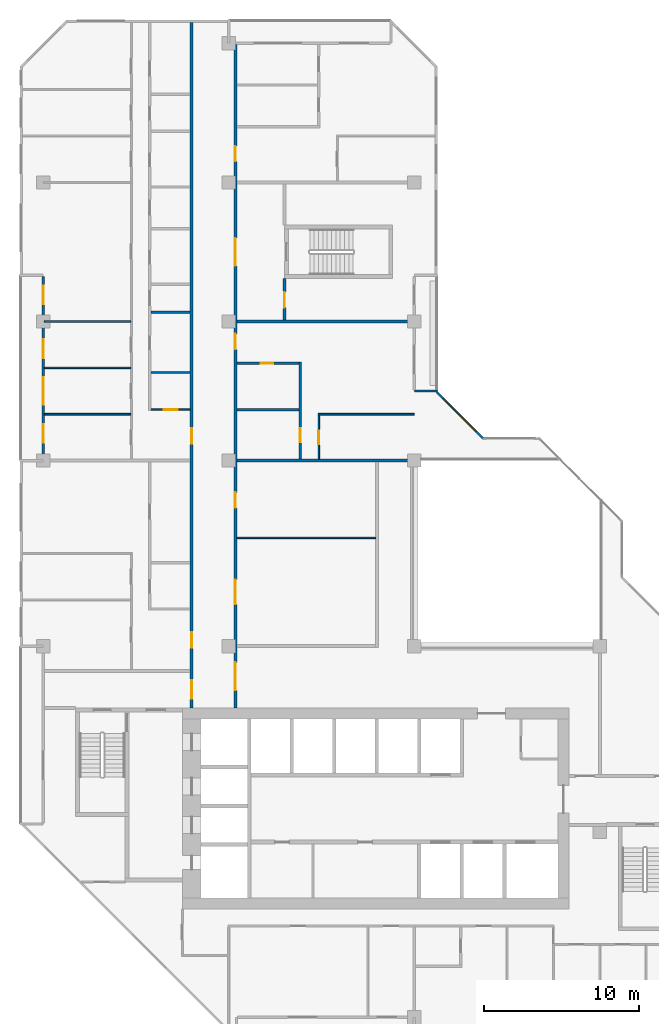
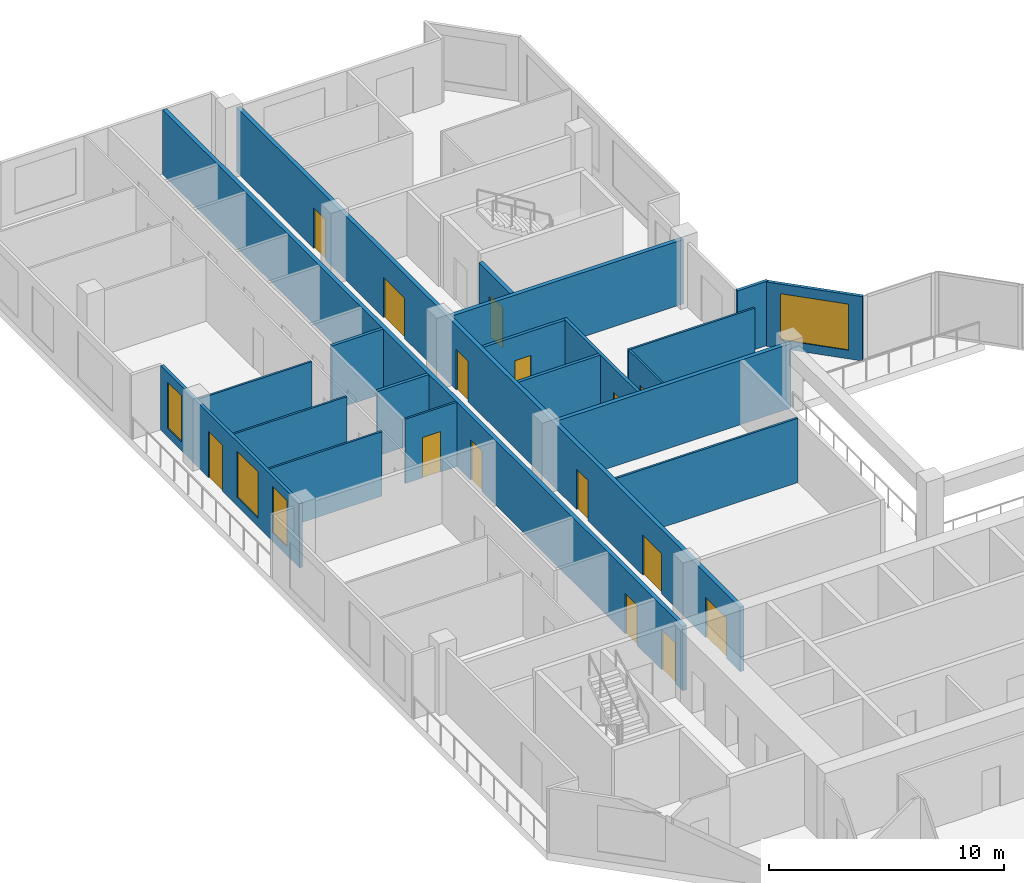
# One storey, part 9 of 14: 20 walls, 15 doors, 4 windows, 19 openings.
"""IFC4 building model written with IfcOpenShell, lengths in metres."""

import ifcopenshell
import ifcopenshell.guid

model = None  # the IFC model being written
_history = None  # IfcOwnerHistory: only IFC2X3 demands one
_inside = {}  # id of a spatial element -> (the spatial element, [elements in it])
_under = {}  # id of a project, library or spatial element -> (it, [spatial elements below it])
_declared = {}  # id of a project -> (the project, [libraries it declares])
_typed = {}  # id of a type object -> (the type object, [elements of that type])
_made_of = {}  # id of a material, layer set ... -> (it, [elements and type objects made of it])


def new_model(schema):
    """Start an empty IFC model of exactly this schema.

    Asked for "IFC4X3", IfcOpenShell would pick the latest addendum, in which some entities
    have other attributes; the version numbers below select the first issue.
    IFC2X3 requires an IfcOwnerHistory on every rooted entity: one is made here for all.
    """
    global model, _history
    if schema == "IFC4X3":
        model = ifcopenshell.file(schema_version=(4, 3, 0, 0))
    else:
        model = ifcopenshell.file(schema=schema)
    _inside.clear()
    _under.clear()
    _declared.clear()
    _typed.clear()
    _made_of.clear()
    _history = None
    if model.schema == "IFC2X3":
        org = make("IfcOrganization", Name="unknown")
        user = make(
            "IfcPersonAndOrganization",
            ThePerson=make("IfcPerson", FamilyName="unknown"),
            TheOrganization=org,
        )
        app = make(
            "IfcApplication",
            ApplicationDeveloper=org,
            Version="unknown",
            ApplicationFullName="unknown",
            ApplicationIdentifier="unknown",
        )
        _history = make(
            "IfcOwnerHistory",
            OwningUser=user,
            OwningApplication=app,
            ChangeAction="ADDED",
            CreationDate=0,
        )
    return model


def make(cls, **values):
    """One entity of the class cls with the attributes given. An attribute that is None is left unset."""
    return model.create_entity(
        cls, **{name: value for name, value in values.items() if value is not None}
    )


def rooted(cls, **values):
    """An entity with a GlobalId (a new one), such as an element, a storey or a relation."""
    return make(cls, GlobalId=ifcopenshell.guid.new(), OwnerHistory=_history, **values)


def si_unit(unit_type, name, prefix=None):
    """IfcSIUnit, for example si_unit("LENGTHUNIT", "METRE", prefix="MILLI")."""
    return make("IfcSIUnit", UnitType=unit_type, Prefix=prefix, Name=name)


def assignment(units):
    """IfcUnitAssignment: the units of a project."""
    return None if units is None else make("IfcUnitAssignment", Units=units)


def point(xyz):
    """IfcCartesianPoint."""
    return None if xyz is None else make("IfcCartesianPoint", Coordinates=xyz)


def direction(xyz):
    """IfcDirection."""
    return None if xyz is None else make("IfcDirection", DirectionRatios=xyz)


def frame(location, z_axis=None, x_axis=None):
    """IfcAxis2Placement3D, a coordinate frame: its origin and axes. An axis left out is left unset."""
    return make(
        "IfcAxis2Placement3D",
        Location=point(location),
        Axis=direction(z_axis),
        RefDirection=direction(x_axis),
    )


def frame_2d(location, x_axis=None):
    """IfcAxis2Placement2D, a coordinate frame in the plane: its origin and x axis."""
    return make(
        "IfcAxis2Placement2D", Location=point(location), RefDirection=direction(x_axis)
    )


def origin():
    """The frame at (0, 0, 0) with its axes left unset."""
    return frame((0.0, 0.0, 0.0))


def place(relative_to, where):
    """IfcLocalPlacement: puts the frame where relative to a parent placement (None: the world)."""
    return make(
        "IfcLocalPlacement", PlacementRelTo=relative_to, RelativePlacement=where
    )


def context(
    kind, dimensions, precision=None, world=None, true_north=None, identifier=None
):
    """IfcGeometricRepresentationContext, for example the 3D "Model" context."""
    return make(
        "IfcGeometricRepresentationContext",
        ContextIdentifier=identifier,
        ContextType=kind,
        CoordinateSpaceDimension=dimensions,
        Precision=precision,
        WorldCoordinateSystem=world,
        TrueNorth=true_north,
    )


def subcontext(parent, identifier, kind, view, scale=None):
    """IfcGeometricRepresentationSubContext, for example "Body" below "Model"."""
    return make(
        "IfcGeometricRepresentationSubContext",
        ContextIdentifier=identifier,
        ContextType=kind,
        ParentContext=parent,
        TargetScale=scale,
        TargetView=view,
    )


def project(units=None, contexts=None):
    """IfcProject with its units and contexts."""
    return rooted(
        "IfcProject",
        Name="project",
        RepresentationContexts=contexts,
        UnitsInContext=assignment(units),
    )


def spatial(cls, under=None, at=None, **own):
    """A site, building, storey or space (cls), placed at a placement, below another one or the project."""
    s = rooted(cls, ObjectPlacement=at, **own)
    if under is not None:
        _under.setdefault(under.id(), (under, []))[1].append(s)
    return s


def profile(cls, at=None, kind="AREA", **sizes):
    """A parametric profile (cls). Its sizes go by their IFC names, for example OverallWidth=200.0."""
    return make(cls, ProfileType=kind, Position=at, **sizes)


def rectangle(**sizes):
    """IfcRectangleProfileDef."""
    return profile("IfcRectangleProfileDef", **sizes)


def extrude(swept, where, along, depth):
    """IfcExtrudedAreaSolid: the profile swept, set in the frame where, extruded along a direction by depth."""
    return make(
        "IfcExtrudedAreaSolid",
        SweptArea=swept,
        Position=where,
        ExtrudedDirection=direction(along),
        Depth=depth,
    )


def shape(context_of_items, identifier, shape_type, items):
    """IfcShapeRepresentation: the items that make up one representation, for example the "Body"."""
    return make(
        "IfcShapeRepresentation",
        ContextOfItems=context_of_items,
        RepresentationIdentifier=identifier,
        RepresentationType=shape_type,
        Items=items,
    )


def material(Name=None, Category=None):
    """IfcMaterial."""
    return make("IfcMaterial", Name=Name, Category=Category)


def layer(
    of_material, thickness, ventilated=None, Name=None, Category=None, Priority=None
):
    """IfcMaterialLayer: one layer of a wall or slab, of a material (None: an air gap)."""
    return make(
        "IfcMaterialLayer",
        Material=of_material,
        LayerThickness=thickness,
        IsVentilated=ventilated,
        Name=Name,
        Category=Category,
        Priority=Priority,
    )


def layer_set(layers, Name=None):
    """IfcMaterialLayerSet."""
    return make("IfcMaterialLayerSet", MaterialLayers=layers, LayerSetName=Name)


def made_of(thing, what):
    """Note that an element or type object is made of a material, layer set ...; save() writes the relation."""
    if what is not None:
        _made_of.setdefault(what.id(), (what, []))[1].append(thing)
    return thing


def type_object(cls, material=None, **own):
    """A type object (cls), such as IfcWallType, which elements share."""
    return made_of(rooted(cls, **own), material)


def element(
    cls,
    number,
    at=None,
    inside=None,
    cuts=None,
    type_object=None,
    material=None,
    context=None,
    identifier="Body",
    shape_type=None,
    held_by="IfcProductDefinitionShape",
    body=None,
    shapes=None,
    **own,
):
    """One element of the class cls, such as IfcWall. Its Tag is "e" and its number.

    at: its placement. inside: the storey or other place that contains it. cuts: it is an
    opening in that element (IfcRelVoidsElement). A single representation is given by context,
    identifier, shape_type and body (its items); several are given by shapes. held_by: the class
    of the entity that holds the representations. save() writes the other relations.
    """
    e = rooted(cls, Tag="e%d" % number, ObjectPlacement=at, **own)
    if body is not None:
        shapes = [shape(context, identifier, shape_type, body)]
    if shapes is not None:
        e.Representation = make(held_by, Representations=shapes)
    if inside is not None:
        _inside.setdefault(inside.id(), (inside, []))[1].append(e)
    if cuts is not None:
        rooted(
            "IfcRelVoidsElement", RelatingBuildingElement=cuts, RelatedOpeningElement=e
        )
    if type_object is not None:
        _typed.setdefault(type_object.id(), (type_object, []))[1].append(e)
    return made_of(e, material)


def fill(opening, filler):
    """IfcRelFillsElement: the door or window that sits in an opening."""
    return rooted(
        "IfcRelFillsElement",
        RelatingOpeningElement=opening,
        RelatedBuildingElement=filler,
    )


def aggregate(whole, parts):
    """IfcRelAggregates: a whole, such as a stair, and the parts it consists of."""
    return rooted("IfcRelAggregates", RelatingObject=whole, RelatedObjects=parts)


def save(model, path):
    """Write the relations noted so far, then the file.

    IfcRelAggregates (storeys below a building ...), IfcRelContainedInSpatialStructure (elements
    in a storey), IfcRelDefinesByType, IfcRelAssociatesMaterial and IfcRelDeclares: one each for
    every whole, place, type object, material and project.
    """
    for whole, parts in _under.values():
        aggregate(whole, parts)
    for where, things in _inside.values():
        rooted(
            "IfcRelContainedInSpatialStructure",
            RelatedElements=things,
            RelatingStructure=where,
        )
    for kind, things in _typed.values():
        rooted("IfcRelDefinesByType", RelatedObjects=things, RelatingType=kind)
    for what, things in _made_of.values():
        rooted("IfcRelAssociatesMaterial", RelatedObjects=things, RelatingMaterial=what)
    for by, libraries in _declared.values():
        rooted("IfcRelDeclares", RelatingContext=by, RelatedDefinitions=libraries)
    model.write(path)


model = new_model("IFC4")

# Units and contexts
model_context = context("Model", 3, precision=1e-05, world=origin(), true_north=direction((0.0, 1.0)))
body_context = subcontext(model_context, "Body", "Model", "MODEL_VIEW")
ifc_project = project(units=[si_unit("LENGTHUNIT", "METRE"), si_unit("AREAUNIT", "SQUARE_METRE"), si_unit("VOLUMEUNIT", "CUBIC_METRE"), si_unit("PLANEANGLEUNIT", "RADIAN"), si_unit("MASSUNIT", "GRAM", prefix="KILO")], contexts=[model_context])

# Site, building, storey
site_placement = place(None, origin())
site = spatial("IfcSite", under=ifc_project, at=site_placement, CompositionType="ELEMENT")
building_placement = place(site_placement, origin())
building = spatial("IfcBuilding", under=site, at=building_placement, Name="Chenar Terraces", CompositionType="ELEMENT")
storey_placement = place(building_placement, frame((0.0, 0.0, 230.39990234375)))
storey = spatial("IfcBuildingStorey", under=building, at=storey_placement, Name="L54", CompositionType="ELEMENT", Elevation=230.39990234375)

# Wall, openings, doors
ifc_material_1 = material(Name="Gypsum board on steel studs with fire boards", Category="steel")
ifc_layer_1 = layer(ifc_material_1, 0.199951171875)
ifc_layer_set_1 = layer_set([ifc_layer_1], Name="Gypsum board on steel studs with fire boards")
wall_type_1 = type_object("IfcWallType", Name="Corridor wall 200", PredefinedType="PARTITIONING", material=ifc_layer_set_1)
wall_1_placement = place(storey_placement, frame((9.60009765625, 20.0, 0.0), z_axis=(0.0, 0.0, 1.0), x_axis=(0.0, 1.0, 0.0)))
wall_1 = element("IfcWall", 1, at=wall_1_placement, inside=storey, type_object=wall_type_1, Name="Partition L54-029", PredefinedType="PARTITIONING", context=body_context, shape_type="SweptSolid", body=[
    extrude(rectangle(XDim=44.35009765625, YDim=0.199951171875, at=frame_2d((22.175048828125, 0.0))), origin(), (0.0, 0.0, 1.0), 3.35009765625),
])
opening_1_placement = place(wall_1_placement, frame((17.10009765625, 0.0, 0.0)))
opening_1 = element("IfcOpeningElement", 2, at=opening_1_placement, cuts=wall_1, Name="Opening DL54-29", PredefinedType="OPENING", context=body_context, shape_type="SweptSolid", body=[
    extrude(rectangle(XDim=1.0, YDim=2.10009765625, at=frame_2d((0.5, 1.050048828125))), frame((0.0, 0.10986328125, 0.0), z_axis=(0.0, -1.0, 0.0), x_axis=(1.0, 0.0, 0.0)), (0.0, 0.0, 1.0), 0.219970703125),
])
opening_2_placement = place(wall_1_placement, frame((0.60009765625, 0.0, 0.0)))
opening_2 = element("IfcOpeningElement", 3, at=opening_2_placement, cuts=wall_1, Name="Opening DL54-40", PredefinedType="OPENING", context=body_context, shape_type="SweptSolid", body=[
    extrude(rectangle(XDim=1.199951171875, YDim=2.10009765625, at=frame_2d((0.60009765625, 1.050048828125))), frame((0.0, 0.10986328125, 0.0), z_axis=(0.0, -1.0, 0.0), x_axis=(1.0, 0.0, 0.0)), (0.0, 0.0, 1.0), 0.219970703125),
])
opening_3_placement = place(wall_1_placement, frame((3.89990234375, 0.0, 0.0)))
opening_3 = element("IfcOpeningElement", 4, at=opening_3_placement, cuts=wall_1, Name="Opening DL54-64", PredefinedType="OPENING", context=body_context, shape_type="SweptSolid", body=[
    extrude(rectangle(XDim=1.0, YDim=2.10009765625, at=frame_2d((0.5, 1.050048828125))), frame((0.0, 0.10986328125, 0.0), z_axis=(0.0, -1.0, 0.0), x_axis=(1.0, 0.0, 0.0)), (0.0, 0.0, 1.0), 0.219970703125),
])
ifc_material_2 = material(Name="Steel-framed fire-resisting door leaf", Category="steel")
door_type_1 = type_object("IfcDoorType", Name="Fire door FD30S 1000 x 2100", OperationType="SINGLE_SWING_LEFT", PredefinedType="DOOR", material=ifc_material_2)
door_1_placement = place(opening_1_placement, origin())
door_1 = element("IfcDoor", 5, at=door_1_placement, inside=storey, type_object=door_type_1, Name="Door DL54-29", OperationType="SINGLE_SWING_LEFT", OverallHeight=2.10009765625, OverallWidth=1.0, PredefinedType="DOOR", context=body_context, shape_type="SweptSolid", body=[
    extrude(rectangle(XDim=1.0, YDim=2.10009765625, at=frame_2d((0.5, 1.050048828125))), frame((0.0, 0.02490234375, 0.0), z_axis=(0.0, -1.0, 0.0), x_axis=(1.0, 0.0, 0.0)), (0.0, 0.0, 1.0), 0.050048828125),
])
fill(opening_1, door_1)
door_2_placement = place(opening_3_placement, origin())
door_2 = element("IfcDoor", 6, at=door_2_placement, inside=storey, type_object=door_type_1, Name="Door DL54-64", OperationType="SINGLE_SWING_LEFT", OverallHeight=2.10009765625, OverallWidth=1.0, PredefinedType="DOOR", context=body_context, shape_type="SweptSolid", body=[
    extrude(rectangle(XDim=1.0, YDim=2.10009765625, at=frame_2d((0.5, 1.050048828125))), frame((0.0, 0.02490234375, 0.0), z_axis=(0.0, -1.0, 0.0), x_axis=(1.0, 0.0, 0.0)), (0.0, 0.0, 1.0), 0.050048828125),
])
fill(opening_3, door_2)
ifc_material_3 = material(Name="Steel-framed fire-resisting door leaf", Category="steel")
door_type_2 = type_object("IfcDoorType", Name="Fire door FD30S 1200 x 2100", OperationType="SINGLE_SWING_LEFT", PredefinedType="DOOR", material=ifc_material_3)
door_3_placement = place(opening_2_placement, origin())
door_3 = element("IfcDoor", 7, at=door_3_placement, inside=storey, type_object=door_type_2, Name="Door DL54-40", OperationType="SINGLE_SWING_RIGHT", OverallHeight=2.10009765625, OverallWidth=1.199951171875, PredefinedType="DOOR", context=body_context, shape_type="SweptSolid", body=[
    extrude(rectangle(XDim=1.199951171875, YDim=2.10009765625, at=frame_2d((0.60009765625, 1.050048828125))), frame((0.0, 0.02490234375, 0.0), z_axis=(0.0, -1.0, 0.0), x_axis=(1.0, 0.0, 0.0)), (0.0, 0.0, 1.0), 0.050048828125),
])
fill(opening_2, door_3)

wall_2_placement = place(storey_placement, frame((12.425048828125, 20.0, 0.0), z_axis=(0.0, 0.0, 1.0), x_axis=(0.0, 1.0, 0.0)))
wall_2 = element("IfcWall", 8, at=wall_2_placement, inside=storey, type_object=wall_type_1, Name="Partition L54-032", PredefinedType="PARTITIONING", context=body_context, shape_type="SweptSolid", body=[
    extrude(rectangle(XDim=42.926025390625, YDim=0.199951171875, at=frame_2d((21.462890625, 0.0))), origin(), (0.0, 0.0, 1.0), 3.35009765625),
])
opening_4_placement = place(wall_2_placement, frame((6.699951171875, 0.0, 0.0)))
opening_4 = element("IfcOpeningElement", 9, at=opening_4_placement, cuts=wall_2, Name="Opening DL54-1", PredefinedType="OPENING", context=body_context, shape_type="SweptSolid", body=[
    extrude(rectangle(XDim=1.60009765625, YDim=2.10009765625, at=frame_2d((0.800048828125, 1.050048828125))), frame((0.0, 0.10986328125, 0.0), z_axis=(0.0, -1.0, 0.0), x_axis=(1.0, 0.0, 0.0)), (0.0, 0.0, 1.0), 0.219970703125),
])
opening_5_placement = place(wall_2_placement, frame((12.949951171875, 0.0, 0.0)))
opening_5 = element("IfcOpeningElement", 10, at=opening_5_placement, cuts=wall_2, Name="Opening DL54-2", PredefinedType="OPENING", context=body_context, shape_type="SweptSolid", body=[
    extrude(rectangle(XDim=1.0, YDim=2.10009765625, at=frame_2d((0.5, 1.050048828125))), frame((0.0, 0.10986328125, 0.0), z_axis=(0.0, -1.0, 0.0), x_axis=(1.0, 0.0, 0.0)), (0.0, 0.0, 1.0), 0.219970703125),
])
opening_6_placement = place(wall_2_placement, frame((23.199951171875, 0.0, 0.0)))
opening_6 = element("IfcOpeningElement", 11, at=opening_6_placement, cuts=wall_2, Name="Opening DL54-17", PredefinedType="OPENING", context=body_context, shape_type="SweptSolid", body=[
    extrude(rectangle(XDim=1.0, YDim=2.10009765625, at=frame_2d((0.5, 1.050048828125))), frame((0.0, 0.10986328125, 0.0), z_axis=(0.0, -1.0, 0.0), x_axis=(1.0, 0.0, 0.0)), (0.0, 0.0, 1.0), 0.219970703125),
])
opening_7_placement = place(wall_2_placement, frame((35.35009765625, 0.0, 0.0)))
opening_7 = element("IfcOpeningElement", 12, at=opening_7_placement, cuts=wall_2, Name="Opening DL54-21", PredefinedType="OPENING", context=body_context, shape_type="SweptSolid", body=[
    extrude(rectangle(XDim=1.0, YDim=2.10009765625, at=frame_2d((0.5, 1.050048828125))), frame((0.0, 0.10986328125, 0.0), z_axis=(0.0, -1.0, 0.0), x_axis=(1.0, 0.0, 0.0)), (0.0, 0.0, 1.0), 0.219970703125),
])
opening_8_placement = place(wall_2_placement, frame((1.14990234375, 0.0, 0.0)))
opening_8 = element("IfcOpeningElement", 13, at=opening_8_placement, cuts=wall_2, Name="Opening DL54-39", PredefinedType="OPENING", context=body_context, shape_type="SweptSolid", body=[
    extrude(rectangle(XDim=1.800048828125, YDim=2.10009765625, at=frame_2d((0.89990234375, 1.050048828125))), frame((0.0, 0.10986328125, 0.0), z_axis=(0.0, -1.0, 0.0), x_axis=(1.0, 0.0, 0.0)), (0.0, 0.0, 1.0), 0.219970703125),
])
opening_9_placement = place(wall_2_placement, frame((28.60009765625, 0.0, 0.0)))
opening_9 = element("IfcOpeningElement", 14, at=opening_9_placement, cuts=wall_2, Name="Opening DL54-41", PredefinedType="OPENING", context=body_context, shape_type="SweptSolid", body=[
    extrude(rectangle(XDim=1.800048828125, YDim=2.10009765625, at=frame_2d((0.89990234375, 1.050048828125))), frame((0.0, 0.10986328125, 0.0), z_axis=(0.0, -1.0, 0.0), x_axis=(1.0, 0.0, 0.0)), (0.0, 0.0, 1.0), 0.219970703125),
])
ifc_material_4 = material(Name="Steel-framed fire-resisting door leaf", Category="steel")
door_type_3 = type_object("IfcDoorType", Name="Fire door FD60 1000 x 2100", OperationType="SINGLE_SWING_LEFT", PredefinedType="DOOR", material=ifc_material_4)
door_4_placement = place(opening_5_placement, frame((1.0, 0.0, 0.0), z_axis=(0.0, 0.0, 1.0), x_axis=(-1.0, 0.0, 0.0)))
door_4 = element("IfcDoor", 15, at=door_4_placement, inside=storey, type_object=door_type_3, Name="Door DL54-2", OperationType="SINGLE_SWING_LEFT", OverallHeight=2.10009765625, OverallWidth=1.0, PredefinedType="DOOR", context=body_context, shape_type="SweptSolid", body=[
    extrude(rectangle(XDim=1.0, YDim=2.10009765625, at=frame_2d((0.5, 1.050048828125))), frame((0.0, 0.02490234375, 0.0), z_axis=(0.0, -1.0, 0.0), x_axis=(1.0, 0.0, 0.0)), (0.0, 0.0, 1.0), 0.050048828125),
])
fill(opening_5, door_4)
door_5_placement = place(opening_6_placement, frame((1.0, 0.0, 0.0), z_axis=(0.0, 0.0, 1.0), x_axis=(-1.0, 0.0, 0.0)))
door_5 = element("IfcDoor", 16, at=door_5_placement, inside=storey, type_object=door_type_3, Name="Door DL54-17", OperationType="SINGLE_SWING_LEFT", OverallHeight=2.10009765625, OverallWidth=1.0, PredefinedType="DOOR", context=body_context, shape_type="SweptSolid", body=[
    extrude(rectangle(XDim=1.0, YDim=2.10009765625, at=frame_2d((0.5, 1.050048828125))), frame((0.0, 0.02490234375, 0.0), z_axis=(0.0, -1.0, 0.0), x_axis=(1.0, 0.0, 0.0)), (0.0, 0.0, 1.0), 0.050048828125),
])
fill(opening_6, door_5)
door_6_placement = place(opening_7_placement, frame((1.0, 0.0, 0.0), z_axis=(0.0, 0.0, 1.0), x_axis=(-1.0, 0.0, 0.0)))
door_6 = element("IfcDoor", 17, at=door_6_placement, inside=storey, type_object=door_type_3, Name="Door DL54-21", OperationType="SINGLE_SWING_LEFT", OverallHeight=2.10009765625, OverallWidth=1.0, PredefinedType="DOOR", context=body_context, shape_type="SweptSolid", body=[
    extrude(rectangle(XDim=1.0, YDim=2.10009765625, at=frame_2d((0.5, 1.050048828125))), frame((0.0, 0.02490234375, 0.0), z_axis=(0.0, -1.0, 0.0), x_axis=(1.0, 0.0, 0.0)), (0.0, 0.0, 1.0), 0.050048828125),
])
fill(opening_7, door_6)
ifc_material_5 = material(Name="Steel-framed fire-resisting door leaf", Category="steel")
door_type_4 = type_object("IfcDoorType", Name="Fire double door FD60 1600 x 2100", OperationType="DOUBLE_DOOR_SINGLE_SWING", PredefinedType="DOOR", material=ifc_material_5)
door_7_placement = place(opening_4_placement, frame((1.60009765625, 0.0, 0.0), z_axis=(0.0, 0.0, 1.0), x_axis=(-1.0, 0.0, 0.0)))
door_7 = element("IfcDoor", 18, at=door_7_placement, inside=storey, type_object=door_type_4, Name="Door DL54-1", OperationType="DOUBLE_DOOR_SINGLE_SWING", OverallHeight=2.10009765625, OverallWidth=1.60009765625, PredefinedType="DOOR", context=body_context, shape_type="SweptSolid", body=[
    extrude(rectangle(XDim=1.60009765625, YDim=2.10009765625, at=frame_2d((0.800048828125, 1.050048828125))), frame((0.0, 0.02490234375, 0.0), z_axis=(0.0, -1.0, 0.0), x_axis=(1.0, 0.0, 0.0)), (0.0, 0.0, 1.0), 0.050048828125),
])
fill(opening_4, door_7)
ifc_material_6 = material(Name="Steel-framed fire-resisting door leaf", Category="steel")
door_type_5 = type_object("IfcDoorType", Name="Fire double door FD60 1800 x 2100", OperationType="DOUBLE_DOOR_SINGLE_SWING", PredefinedType="DOOR", material=ifc_material_6)
door_8_placement = place(opening_8_placement, frame((1.800048828125, 0.0, 0.0), z_axis=(0.0, 0.0, 1.0), x_axis=(-1.0, 0.0, 0.0)))
door_8 = element("IfcDoor", 19, at=door_8_placement, inside=storey, type_object=door_type_5, Name="Door DL54-39", OperationType="DOUBLE_DOOR_SINGLE_SWING", OverallHeight=2.10009765625, OverallWidth=1.800048828125, PredefinedType="DOOR", context=body_context, shape_type="SweptSolid", body=[
    extrude(rectangle(XDim=1.800048828125, YDim=2.10009765625, at=frame_2d((0.89990234375, 1.050048828125))), frame((0.0, 0.02490234375, 0.0), z_axis=(0.0, -1.0, 0.0), x_axis=(1.0, 0.0, 0.0)), (0.0, 0.0, 1.0), 0.050048828125),
])
fill(opening_8, door_8)
door_9_placement = place(opening_9_placement, frame((1.800048828125, 0.0, 0.0), z_axis=(0.0, 0.0, 1.0), x_axis=(-1.0, 0.0, 0.0)))
door_9 = element("IfcDoor", 20, at=door_9_placement, inside=storey, type_object=door_type_5, Name="Door DL54-41", OperationType="DOUBLE_DOOR_SINGLE_SWING", OverallHeight=2.10009765625, OverallWidth=1.800048828125, PredefinedType="DOOR", context=body_context, shape_type="SweptSolid", body=[
    extrude(rectangle(XDim=1.800048828125, YDim=2.10009765625, at=frame_2d((0.89990234375, 1.050048828125))), frame((0.0, 0.02490234375, 0.0), z_axis=(0.0, -1.0, 0.0), x_axis=(1.0, 0.0, 0.0)), (0.0, 0.0, 1.0), 0.050048828125),
])
fill(opening_9, door_9)

# Wall, opening, door
wall_3_placement = place(storey_placement, frame((15.60009765625, 45.10009765625, 0.0), z_axis=(0.0, 0.0, 1.0), x_axis=(0.0, 1.0, 0.0)))
wall_3 = element("IfcWall", 21, at=wall_3_placement, inside=storey, type_object=wall_type_1, Name="Partition L54-042", PredefinedType="PARTITIONING", context=body_context, shape_type="SweptSolid", body=[
    extrude(rectangle(XDim=2.6748046875, YDim=0.199951171875, at=frame_2d((1.33740234375, 0.0))), origin(), (0.0, 0.0, 1.0), 3.35009765625),
])
opening_10_placement = place(wall_3_placement, frame((0.800048828125, 0.0, 0.0)))
opening_10 = element("IfcOpeningElement", 22, at=opening_10_placement, cuts=wall_3, Name="Opening DL54-43", PredefinedType="OPENING", context=body_context, shape_type="SweptSolid", body=[
    extrude(rectangle(XDim=1.0, YDim=2.10009765625, at=frame_2d((0.5, 1.050048828125))), frame((0.0, 0.10986328125, 0.0), z_axis=(0.0, -1.0, 0.0), x_axis=(1.0, 0.0, 0.0)), (0.0, 0.0, 1.0), 0.219970703125),
])
door_10_placement = place(opening_10_placement, frame((1.0, 0.0, 0.0), z_axis=(0.0, 0.0, 1.0), x_axis=(-1.0, 0.0, 0.0)))
door_10 = element("IfcDoor", 23, at=door_10_placement, inside=storey, type_object=door_type_3, Name="Door DL54-43", OperationType="SINGLE_SWING_RIGHT", OverallHeight=2.10009765625, OverallWidth=1.0, PredefinedType="DOOR", context=body_context, shape_type="SweptSolid", body=[
    extrude(rectangle(XDim=1.0, YDim=2.10009765625, at=frame_2d((0.5, 1.050048828125))), frame((0.0, 0.02490234375, 0.0), z_axis=(0.0, -1.0, 0.0), x_axis=(1.0, 0.0, 0.0)), (0.0, 0.0, 1.0), 0.050048828125),
])
fill(opening_10, door_10)

# Wall, openings, windows, door
ifc_material_7 = material(Name="Aluminium framed glazing", Category="aluminium")
ifc_layer_2 = layer(ifc_material_7, 0.14990234375)
ifc_layer_set_2 = layer_set([ifc_layer_2], Name="Aluminium framed glazing")
wall_type_2 = type_object("IfcWallType", Name="Glazed loggia back wall 150", PredefinedType="SOLIDWALL", material=ifc_layer_set_2)
wall_4_placement = place(storey_placement, frame((0.0, 47.925048828125, 0.0), z_axis=(0.0, 0.0, 1.0), x_axis=(0.0, -1.0, 0.0)))
wall_4 = element("IfcWall", 24, at=wall_4_placement, inside=storey, type_object=wall_type_2, Name="Glazed loggia back wall", PredefinedType="SOLIDWALL", context=body_context, shape_type="SweptSolid", body=[
    extrude(rectangle(XDim=11.85009765625, YDim=0.14990234375, at=frame_2d((5.925048828125, 0.0))), origin(), (0.0, 0.0, 1.0), 3.35009765625),
])
opening_11_placement = place(wall_4_placement, frame((0.60009765625, 0.0, 0.449951171875)))
opening_11 = element("IfcOpeningElement", 25, at=opening_11_placement, cuts=wall_4, Name="Opening W120x240", PredefinedType="OPENING", context=body_context, shape_type="SweptSolid", body=[
    extrude(rectangle(XDim=1.199951171875, YDim=2.39990234375, at=frame_2d((0.60009765625, 1.199951171875))), frame((0.0, 0.0849609375, 0.0), z_axis=(0.0, -1.0, 0.0), x_axis=(1.0, 0.0, 0.0)), (0.0, 0.0, 1.0), 0.169921875),
])
opening_12_placement = place(wall_4_placement, frame((4.08740234375, 0.0, 0.0)))
opening_12 = element("IfcOpeningElement", 26, at=opening_12_placement, cuts=wall_4, Name="Opening DL54-G3", PredefinedType="OPENING", context=body_context, shape_type="SweptSolid", body=[
    extrude(rectangle(XDim=1.199951171875, YDim=2.39990234375, at=frame_2d((0.60009765625, 1.199951171875))), frame((0.0, 0.0849609375, 0.0), z_axis=(0.0, -1.0, 0.0), x_axis=(1.0, 0.0, 0.0)), (0.0, 0.0, 1.0), 0.169921875),
])
opening_13_placement = place(wall_4_placement, frame((6.52490234375, 0.0, 0.449951171875)))
opening_13 = element("IfcOpeningElement", 27, at=opening_13_placement, cuts=wall_4, Name="Opening W180x240", PredefinedType="OPENING", context=body_context, shape_type="SweptSolid", body=[
    extrude(rectangle(XDim=1.800048828125, YDim=2.39990234375, at=frame_2d((0.89990234375, 1.199951171875))), frame((0.0, 0.0849609375, 0.0), z_axis=(0.0, -1.0, 0.0), x_axis=(1.0, 0.0, 0.0)), (0.0, 0.0, 1.0), 0.169921875),
])
opening_14_placement = place(wall_4_placement, frame((9.5625, 0.0, 0.449951171875)))
opening_14 = element("IfcOpeningElement", 28, at=opening_14_placement, cuts=wall_4, Name="Opening W120x240", PredefinedType="OPENING", context=body_context, shape_type="SweptSolid", body=[
    extrude(rectangle(XDim=1.199951171875, YDim=2.39990234375, at=frame_2d((0.60009765625, 1.199951171875))), frame((0.0, 0.0849609375, 0.0), z_axis=(0.0, -1.0, 0.0), x_axis=(1.0, 0.0, 0.0)), (0.0, 0.0, 1.0), 0.169921875),
])
ifc_material_8 = material(Name="Low emissivity double glazing, aluminium frame", Category="aluminium")
window_type_1 = type_object("IfcWindowType", Name="Fixed light 1200 x 2400", PartitioningType="SINGLE_PANEL", PredefinedType="WINDOW", material=ifc_material_8)
window_1_placement = place(opening_11_placement, origin())
window_1 = element("IfcWindow", 29, at=window_1_placement, inside=storey, type_object=window_type_1, Name="Window", OverallHeight=2.39990234375, OverallWidth=1.199951171875, PartitioningType="SINGLE_PANEL", PredefinedType="WINDOW", context=body_context, shape_type="SweptSolid", body=[
    extrude(rectangle(XDim=1.199951171875, YDim=2.39990234375, at=frame_2d((0.60009765625, 1.199951171875))), frame((0.0, 0.030029296875, 0.0), z_axis=(0.0, -1.0, 0.0), x_axis=(1.0, 0.0, 0.0)), (0.0, 0.0, 1.0), 0.06005859375),
])
fill(opening_11, window_1)
window_2_placement = place(opening_14_placement, origin())
window_2 = element("IfcWindow", 30, at=window_2_placement, inside=storey, type_object=window_type_1, Name="Window", OverallHeight=2.39990234375, OverallWidth=1.199951171875, PartitioningType="SINGLE_PANEL", PredefinedType="WINDOW", context=body_context, shape_type="SweptSolid", body=[
    extrude(rectangle(XDim=1.199951171875, YDim=2.39990234375, at=frame_2d((0.60009765625, 1.199951171875))), frame((0.0, 0.030029296875, 0.0), z_axis=(0.0, -1.0, 0.0), x_axis=(1.0, 0.0, 0.0)), (0.0, 0.0, 1.0), 0.06005859375),
])
fill(opening_14, window_2)
ifc_material_9 = material(Name="Low emissivity double glazing, aluminium frame", Category="aluminium")
window_type_2 = type_object("IfcWindowType", Name="Fixed light 1800 x 2400", PartitioningType="SINGLE_PANEL", PredefinedType="WINDOW", material=ifc_material_9)
window_3_placement = place(opening_13_placement, origin())
window_3 = element("IfcWindow", 31, at=window_3_placement, inside=storey, type_object=window_type_2, Name="Window", OverallHeight=2.39990234375, OverallWidth=1.800048828125, PartitioningType="SINGLE_PANEL", PredefinedType="WINDOW", context=body_context, shape_type="SweptSolid", body=[
    extrude(rectangle(XDim=1.800048828125, YDim=2.39990234375, at=frame_2d((0.89990234375, 1.199951171875))), frame((0.0, 0.030029296875, 0.0), z_axis=(0.0, -1.0, 0.0), x_axis=(1.0, 0.0, 0.0)), (0.0, 0.0, 1.0), 0.06005859375),
])
fill(opening_13, window_3)
ifc_material_10 = material(Name="Low emissivity double glazing, aluminium frame", Category="aluminium")
door_type_6 = type_object("IfcDoorType", Name="Loggia glazed double door 1200 x 2400", OperationType="DOUBLE_DOOR_SINGLE_SWING", PredefinedType="DOOR", material=ifc_material_10)
door_11_placement = place(opening_12_placement, frame((1.199951171875, 0.0, 0.0), z_axis=(0.0, 0.0, 1.0), x_axis=(-1.0, 0.0, 0.0)))
door_11 = element("IfcDoor", 32, at=door_11_placement, inside=storey, type_object=door_type_6, Name="Loggia glazed door", OperationType="DOUBLE_DOOR_SINGLE_SWING", OverallHeight=2.39990234375, OverallWidth=1.199951171875, PredefinedType="DOOR", context=body_context, shape_type="SweptSolid", body=[
    extrude(rectangle(XDim=1.199951171875, YDim=2.39990234375, at=frame_2d((0.60009765625, 1.199951171875))), frame((0.0, 0.02490234375, 0.0), z_axis=(0.0, -1.0, 0.0), x_axis=(1.0, 0.0, 0.0)), (0.0, 0.0, 1.0), 0.050048828125),
])
fill(opening_12, door_11)

# Walls
ifc_material_11 = material(Name="Gypsum board on steel studs", Category="steel")
ifc_layer_3 = layer(ifc_material_11, 0.10009765625)
ifc_layer_set_3 = layer_set([ifc_layer_3], Name="Gypsum board on steel studs")
wall_type_3 = type_object("IfcWallType", Name="Gypsum partition 100", PredefinedType="PARTITIONING", material=ifc_layer_set_3)
for number, where, z_axis, x_axis, name in (
    (33, (0.073974609375, 39.0, 0.0), (0.0, 0.0, 1.0), (1.0, 0.0, 0.0), "Partition L54-009"),
    (34, (0.073974609375, 42.0, 0.0), (0.0, 0.0, 1.0), (1.0, 0.0, 0.0), "Partition L54-010"),
    (35, (0.073974609375, 45.0, 0.0), (0.0, 0.0, 1.0), (1.0, 0.0, 0.0), "Partition L54-011"),
):
    element("IfcWall", number, at=place(storey_placement, frame(where, z_axis=z_axis, x_axis=x_axis)), inside=storey, type_object=wall_type_3, Name=name, PredefinedType="PARTITIONING", context=body_context, shape_type="SweptSolid", body=[
        extrude(rectangle(XDim=5.575927734375, YDim=0.10009765625, at=frame_2d((2.7880859375, 0.0))), origin(), (0.0, 0.0, 1.0), 3.35009765625),
    ])

# Wall, opening, door
wall_5_placement = place(storey_placement, frame((6.97509765625, 39.300048828125, 0.0), z_axis=(0.0, 0.0, 1.0), x_axis=(1.0, 0.0, 0.0)))
wall_5 = element("IfcWall", 36, at=wall_5_placement, inside=storey, type_object=wall_type_3, Name="Partition L54-019", PredefinedType="PARTITIONING", context=body_context, shape_type="SweptSolid", body=[
    extrude(rectangle(XDim=2.52490234375, YDim=0.10009765625, at=frame_2d((1.262451171875, 0.0))), origin(), (0.0, 0.0, 1.0), 3.35009765625),
])
opening_15_placement = place(wall_5_placement, frame((0.824951171875, 0.0, 0.0)))
opening_15 = element("IfcOpeningElement", 37, at=opening_15_placement, cuts=wall_5, Name="Opening DL54-33", PredefinedType="OPENING", context=body_context, shape_type="SweptSolid", body=[
    extrude(rectangle(XDim=0.89990234375, YDim=2.10009765625, at=frame_2d((0.449951171875, 1.050048828125))), frame((0.0, 0.06005859375, 0.0), z_axis=(0.0, -1.0, 0.0), x_axis=(1.0, 0.0, 0.0)), (0.0, 0.0, 1.0), 0.1201171875),
])
ifc_material_12 = material(Name="Veneered timber door leaf", Category="wood")
door_type_7 = type_object("IfcDoorType", Name="Door 900 x 2100", OperationType="SINGLE_SWING_LEFT", PredefinedType="DOOR", material=ifc_material_12)
door_12_placement = place(opening_15_placement, origin())
door_12 = element("IfcDoor", 38, at=door_12_placement, inside=storey, type_object=door_type_7, Name="Door DL54-33", OperationType="SINGLE_SWING_RIGHT", OverallHeight=2.10009765625, OverallWidth=0.89990234375, PredefinedType="DOOR", context=body_context, shape_type="SweptSolid", body=[
    extrude(rectangle(XDim=0.89990234375, YDim=2.10009765625, at=frame_2d((0.449951171875, 1.050048828125))), frame((0.0, 0.02490234375, 0.0), z_axis=(0.0, -1.0, 0.0), x_axis=(1.0, 0.0, 0.0)), (0.0, 0.0, 1.0), 0.050048828125),
])
fill(opening_15, door_12)

# Walls
wall_6_placement = place(storey_placement, frame((12.52490234375, 31.0, 0.0), z_axis=(0.0, 0.0, 1.0), x_axis=(1.0, 0.0, 0.0)))
element("IfcWall", 39, at=wall_6_placement, inside=storey, type_object=wall_type_3, Name="Partition L54-034", PredefinedType="PARTITIONING", context=body_context, shape_type="SweptSolid", body=[
    extrude(rectangle(XDim=8.97509765625, YDim=0.10009765625, at=frame_2d((4.487548828125, 0.0))), origin(), (0.0, 0.0, 1.0), 3.35009765625),
])
wall_7_placement = place(storey_placement, frame((17.77490234375, 39.0, 0.0), z_axis=(0.0, 0.0, 1.0), x_axis=(1.0, 0.0, 0.0)))
element("IfcWall", 40, at=wall_7_placement, inside=storey, type_object=wall_type_3, Name="Partition L54-045", PredefinedType="PARTITIONING", context=body_context, shape_type="SweptSolid", body=[
    extrude(rectangle(XDim=6.22509765625, YDim=0.10009765625, at=frame_2d((3.112548828125, 0.0))), origin(), (0.0, 0.0, 1.0), 3.35009765625),
])

# Wall, opening, door
wall_8_placement = place(storey_placement, frame((17.824951171875, 36.10009765625, 0.0), z_axis=(0.0, 0.0, 1.0), x_axis=(0.0, 1.0, 0.0)))
wall_8 = element("IfcWall", 41, at=wall_8_placement, inside=storey, type_object=wall_type_3, Name="Partition L54-046", PredefinedType="PARTITIONING", context=body_context, shape_type="SweptSolid", body=[
    extrude(rectangle(XDim=2.849853515625, YDim=0.10009765625, at=frame_2d((1.4248046875, 0.0))), origin(), (0.0, 0.0, 1.0), 3.35009765625),
])
opening_16_placement = place(wall_8_placement, frame((0.949951171875, 0.0, 0.0)))
opening_16 = element("IfcOpeningElement", 42, at=opening_16_placement, cuts=wall_8, Name="Opening DL54-15", PredefinedType="OPENING", context=body_context, shape_type="SweptSolid", body=[
    extrude(rectangle(XDim=0.89990234375, YDim=2.10009765625, at=frame_2d((0.449951171875, 1.050048828125))), frame((0.0, 0.06005859375, 0.0), z_axis=(0.0, -1.0, 0.0), x_axis=(1.0, 0.0, 0.0)), (0.0, 0.0, 1.0), 0.1201171875),
])
door_13_placement = place(opening_16_placement, frame((0.89990234375, 0.0, 0.0), z_axis=(0.0, 0.0, 1.0), x_axis=(-1.0, 0.0, 0.0)))
door_13 = element("IfcDoor", 43, at=door_13_placement, inside=storey, type_object=door_type_7, Name="Door DL54-15", OperationType="SINGLE_SWING_LEFT", OverallHeight=2.10009765625, OverallWidth=0.89990234375, PredefinedType="DOOR", context=body_context, shape_type="SweptSolid", body=[
    extrude(rectangle(XDim=0.89990234375, YDim=2.10009765625, at=frame_2d((0.449951171875, 1.050048828125))), frame((0.0, 0.02490234375, 0.0), z_axis=(0.0, -1.0, 0.0), x_axis=(1.0, 0.0, 0.0)), (0.0, 0.0, 1.0), 0.050048828125),
])
fill(opening_16, door_13)

# Wall
ifc_material_13 = material(Name="Terracotta cladding on insulated backing", Category="masonry")
ifc_layer_4 = layer(ifc_material_13, 0.14990234375)
ifc_layer_set_4 = layer_set([ifc_layer_4], Name="Terracotta cladding on insulated backing")
wall_type_4 = type_object("IfcWallType", Name="Loggia return wall 150", PredefinedType="SOLIDWALL", material=ifc_layer_set_4)
wall_9_placement = place(storey_placement, frame((25.5, 40.5, 0.0), z_axis=(0.0, 0.0, 1.0), x_axis=(-1.0, 0.0, 0.0)))
element("IfcWall", 44, at=wall_9_placement, inside=storey, type_object=wall_type_4, Name="Loggia return wall", PredefinedType="SOLIDWALL", context=body_context, shape_type="SweptSolid", body=[
    extrude(rectangle(XDim=1.5, YDim=0.14990234375, at=frame_2d((0.75, 0.0))), origin(), (0.0, 0.0, 1.0), 3.35009765625),
])

# Wall, opening, window
ifc_material_14 = material(Name="Terracotta cladding on insulated backing", Category="masonry")
ifc_layer_5 = layer(ifc_material_14, 0.14990234375)
ifc_layer_set_5 = layer_set([ifc_layer_5], Name="Terracotta cladding on insulated backing")
wall_type_5 = type_object("IfcWallType", Name="Terracotta rainscreen wall 150", PredefinedType="SOLIDWALL", material=ifc_layer_set_5)
wall_10_placement = place(storey_placement, frame((28.447021484375, 37.447021484375, 0.0), z_axis=(0.0, 0.0, 1.0), x_axis=(-0.707106781187, 0.707106781187, 0.0)))
wall_10 = element("IfcWall", 45, at=wall_10_placement, inside=storey, type_object=wall_type_5, Name="Terracotta rainscreen wall", PredefinedType="SOLIDWALL", context=body_context, shape_type="SweptSolid", body=[
    extrude(rectangle(XDim=4.24267578125, YDim=0.14990234375, at=frame_2d((2.121337890625, 0.0))), origin(), (0.0, 0.0, 1.0), 3.35009765625),
])
opening_17_placement = place(wall_10_placement, frame((0.621337890625, 0.0, 0.449951171875)))
opening_17 = element("IfcOpeningElement", 46, at=opening_17_placement, cuts=wall_10, Name="Opening W300x240", PredefinedType="OPENING", context=body_context, shape_type="SweptSolid", body=[
    extrude(rectangle(XDim=3.0, YDim=2.39990234375, at=frame_2d((1.5, 1.199951171875))), frame((0.0, 0.0849609375, 0.0), z_axis=(0.0, -1.0, 0.0), x_axis=(1.0, 0.0, 0.0)), (0.0, 0.0, 1.0), 0.169921875),
])
ifc_material_15 = material(Name="Low emissivity double glazing, aluminium frame", Category="aluminium")
window_type_3 = type_object("IfcWindowType", Name="Fixed light 3000 x 2400", PartitioningType="SINGLE_PANEL", PredefinedType="WINDOW", material=ifc_material_15)
window_4_placement = place(opening_17_placement, origin())
window_4 = element("IfcWindow", 47, at=window_4_placement, inside=storey, type_object=window_type_3, Name="Window", OverallHeight=2.39990234375, OverallWidth=3.0, PartitioningType="SINGLE_PANEL", PredefinedType="WINDOW", context=body_context, shape_type="SweptSolid", body=[
    extrude(rectangle(XDim=3.0, YDim=2.39990234375, at=frame_2d((1.5, 1.199951171875))), frame((0.0, 0.030029296875, 0.0), z_axis=(0.0, -1.0, 0.0), x_axis=(1.0, 0.0, 0.0)), (0.0, 0.0, 1.0), 0.06005859375),
])
fill(opening_17, window_4)

# Walls
ifc_material_16 = material(Name="Twin gypsum board on steel studs with mineral wool", Category="steel")
ifc_layer_6 = layer(ifc_material_16, 0.199951171875)
ifc_layer_set_6 = layer_set([ifc_layer_6], Name="Twin gypsum board on steel studs with mineral wool")
wall_type_6 = type_object("IfcWallType", Name="Unit demising wall 200", PredefinedType="PARTITIONING", material=ifc_layer_set_6)
wall_11_placement = place(storey_placement, frame((12.52490234375, 36.0, 0.0), z_axis=(0.0, 0.0, 1.0), x_axis=(1.0, 0.0, 0.0)))
element("IfcWall", 48, at=wall_11_placement, inside=storey, type_object=wall_type_6, Name="Partition L54-035", PredefinedType="PARTITIONING", context=body_context, shape_type="SweptSolid", body=[
    extrude(rectangle(XDim=11.47509765625, YDim=0.199951171875, at=frame_2d((5.737548828125, 0.0))), origin(), (0.0, 0.0, 1.0), 3.35009765625),
])
wall_12_placement = place(storey_placement, frame((12.52490234375, 45.0, 0.0), z_axis=(0.0, 0.0, 1.0), x_axis=(1.0, 0.0, 0.0)))
element("IfcWall", 49, at=wall_12_placement, inside=storey, type_object=wall_type_6, Name="Partition L54-038", PredefinedType="PARTITIONING", context=body_context, shape_type="SweptSolid", body=[
    extrude(rectangle(XDim=11.401123046875, YDim=0.199951171875, at=frame_2d((5.70068359375, 0.0))), origin(), (0.0, 0.0, 1.0), 3.35009765625),
])
ifc_material_17 = material(Name="Moisture-resistant gypsum board on steel studs", Category="steel")
ifc_layer_7 = layer(ifc_material_17, 0.14990234375)
ifc_layer_set_7 = layer_set([ifc_layer_7], Name="Moisture-resistant gypsum board on steel studs")
wall_type_7 = type_object("IfcWallType", Name="Wet-room partition 150", PredefinedType="PARTITIONING", material=ifc_layer_set_7)
for number, where, z_axis, x_axis, name in (
    (50, (6.97509765625, 41.699951171875, 0.0), (0.0, 0.0, 1.0), (1.0, 0.0, 0.0), "Partition L54-020"),
    (51, (6.97509765625, 45.60009765625, 0.0), (0.0, 0.0, 1.0), (1.0, 0.0, 0.0), "Partition L54-021"),
):
    element("IfcWall", number, at=place(storey_placement, frame(where, z_axis=z_axis, x_axis=x_axis)), inside=storey, type_object=wall_type_7, Name=name, PredefinedType="PARTITIONING", context=body_context, shape_type="SweptSolid", body=[
        extrude(rectangle(XDim=2.52490234375, YDim=0.14990234375, at=frame_2d((1.262451171875, 0.0))), origin(), (0.0, 0.0, 1.0), 3.35009765625),
    ])
wall_13_placement = place(storey_placement, frame((12.52490234375, 39.300048828125, 0.0), z_axis=(0.0, 0.0, 1.0), x_axis=(1.0, 0.0, 0.0)))
element("IfcWall", 52, at=wall_13_placement, inside=storey, type_object=wall_type_7, Name="Partition L54-036", PredefinedType="PARTITIONING", context=body_context, shape_type="SweptSolid", body=[
    extrude(rectangle(XDim=4.025146484375, YDim=0.14990234375, at=frame_2d((2.0126953125, 0.0))), origin(), (0.0, 0.0, 1.0), 3.35009765625),
])

# Wall, opening, door
wall_14_placement = place(storey_placement, frame((12.52490234375, 42.300048828125, 0.0), z_axis=(0.0, 0.0, 1.0), x_axis=(1.0, 0.0, 0.0)))
wall_14 = element("IfcWall", 53, at=wall_14_placement, inside=storey, type_object=wall_type_7, Name="Partition L54-037", PredefinedType="PARTITIONING", context=body_context, shape_type="SweptSolid", body=[
    extrude(rectangle(XDim=4.025146484375, YDim=0.14990234375, at=frame_2d((2.0126953125, 0.0))), origin(), (0.0, 0.0, 1.0), 3.35009765625),
])
opening_18_placement = place(wall_14_placement, frame((1.550048828125, 0.0, 0.0)))
opening_18 = element("IfcOpeningElement", 54, at=opening_18_placement, cuts=wall_14, Name="Opening DL54-14", PredefinedType="OPENING", context=body_context, shape_type="SweptSolid", body=[
    extrude(rectangle(XDim=0.800048828125, YDim=2.10009765625, at=frame_2d((0.39990234375, 1.050048828125))), frame((0.0, 0.0849609375, 0.0), z_axis=(0.0, -1.0, 0.0), x_axis=(1.0, 0.0, 0.0)), (0.0, 0.0, 1.0), 0.169921875),
])
ifc_material_18 = material(Name="Veneered timber door leaf", Category="wood")
door_type_8 = type_object("IfcDoorType", Name="Door 800 x 2100", OperationType="SINGLE_SWING_LEFT", PredefinedType="DOOR", material=ifc_material_18)
door_14_placement = place(opening_18_placement, frame((0.800048828125, 0.0, 0.0), z_axis=(0.0, 0.0, 1.0), x_axis=(-1.0, 0.0, 0.0)))
door_14 = element("IfcDoor", 55, at=door_14_placement, inside=storey, type_object=door_type_8, Name="Door DL54-14", OperationType="SINGLE_SWING_LEFT", OverallHeight=2.10009765625, OverallWidth=0.800048828125, PredefinedType="DOOR", context=body_context, shape_type="SweptSolid", body=[
    extrude(rectangle(XDim=0.800048828125, YDim=2.10009765625, at=frame_2d((0.39990234375, 1.050048828125))), frame((0.0, 0.02490234375, 0.0), z_axis=(0.0, -1.0, 0.0), x_axis=(1.0, 0.0, 0.0)), (0.0, 0.0, 1.0), 0.050048828125),
])
fill(opening_18, door_14)

wall_15_placement = place(storey_placement, frame((16.625, 36.10009765625, 0.0), z_axis=(0.0, 0.0, 1.0), x_axis=(0.0, 1.0, 0.0)))
wall_15 = element("IfcWall", 56, at=wall_15_placement, inside=storey, type_object=wall_type_7, Name="Partition L54-044", PredefinedType="PARTITIONING", context=body_context, shape_type="SweptSolid", body=[
    extrude(rectangle(XDim=6.27490234375, YDim=0.14990234375, at=frame_2d((3.137451171875, 0.0))), origin(), (0.0, 0.0, 1.0), 3.35009765625),
])
opening_19_placement = place(wall_15_placement, frame((1.10009765625, 0.0, 0.0)))
opening_19 = element("IfcOpeningElement", 57, at=opening_19_placement, cuts=wall_15, Name="Opening DL54-16", PredefinedType="OPENING", context=body_context, shape_type="SweptSolid", body=[
    extrude(rectangle(XDim=0.89990234375, YDim=2.10009765625, at=frame_2d((0.449951171875, 1.050048828125))), frame((0.0, 0.0849609375, 0.0), z_axis=(0.0, -1.0, 0.0), x_axis=(1.0, 0.0, 0.0)), (0.0, 0.0, 1.0), 0.169921875),
])
door_15_placement = place(opening_19_placement, origin())
door_15 = element("IfcDoor", 58, at=door_15_placement, inside=storey, type_object=door_type_7, Name="Door DL54-16", OperationType="SINGLE_SWING_LEFT", OverallHeight=2.10009765625, OverallWidth=0.89990234375, PredefinedType="DOOR", context=body_context, shape_type="SweptSolid", body=[
    extrude(rectangle(XDim=0.89990234375, YDim=2.10009765625, at=frame_2d((0.449951171875, 1.050048828125))), frame((0.0, 0.02490234375, 0.0), z_axis=(0.0, -1.0, 0.0), x_axis=(1.0, 0.0, 0.0)), (0.0, 0.0, 1.0), 0.050048828125),
])
fill(opening_19, door_15)

save(model, "model.ifc")
